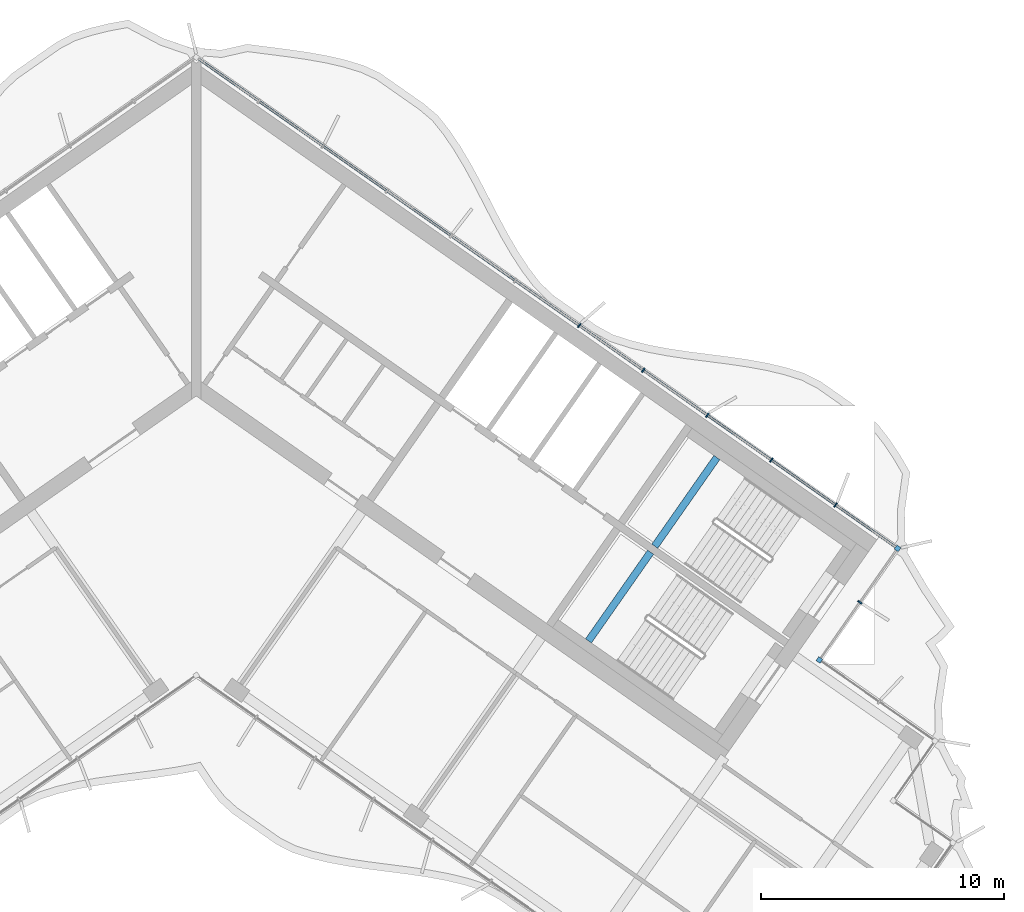
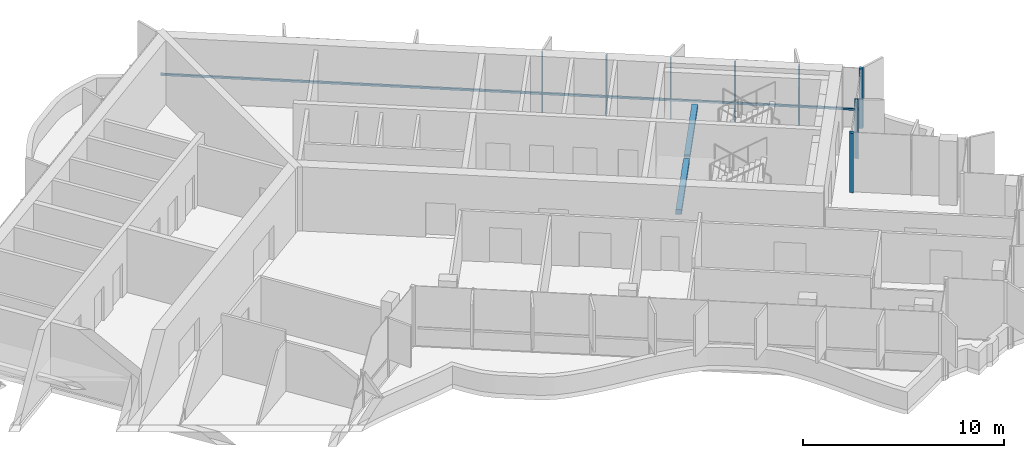
# One storey, part 5 of 18: 9 members, 2 beams, 1 element without a shape of its own.
"""IFC4 building model written with IfcOpenShell, lengths in metres."""

from ifc_helpers import new_model, si_unit, direction, frame, origin, origin_2d, place, context, subcontext, project, spatial, rectangle, extrude, material, material_profile, profile_set, type_object, element, aggregate, save


model = new_model("IFC4")

# Units and contexts
model_context = context("Model", 3, precision=1e-05, world=origin(), true_north=direction((0.0, 1.0)))
body_context = subcontext(model_context, "Body", "Model", "MODEL_VIEW")
ifc_project = project(units=[si_unit("LENGTHUNIT", "METRE"), si_unit("AREAUNIT", "SQUARE_METRE"), si_unit("VOLUMEUNIT", "CUBIC_METRE"), si_unit("PLANEANGLEUNIT", "RADIAN"), si_unit("MASSUNIT", "GRAM", prefix="KILO")], contexts=[model_context])

# Site, building, storey
site_placement = place(None, origin())
site = spatial("IfcSite", under=ifc_project, at=site_placement, CompositionType="ELEMENT")
building_placement = place(site_placement, origin())
building = spatial("IfcBuilding", under=site, at=building_placement, Name="Tel Ilan Convention Tower", CompositionType="ELEMENT")
storey_placement = place(building_placement, frame((0.0, 0.0, 264.39990234375)))
storey = spatial("IfcBuildingStorey", under=building, at=storey_placement, Name="L62", CompositionType="ELEMENT", Elevation=264.39990234375)

# Curtain wall, members
ifc_material_1 = material(Name="Aluminium, bronze anodised", Category="aluminium")
curtain_wall_type = type_object("IfcCurtainWallType", Name="CW2 STICK CURTAIN WALL, SPANDREL PANELS", PredefinedType="NOTDEFINED", material=ifc_material_1)
curtain_wall_placement = place(storey_placement, origin())
curtain_wall = element("IfcCurtainWall", 1, at=curtain_wall_placement, inside=storey, type_object=curtain_wall_type, Name="Curtain wall CW2-47.01", PredefinedType="NOTDEFINED")
ifc_material_2 = material(Name="Aluminium, bronze anodised", Category="aluminium")
ifc_material_profile_1 = material_profile(ifc_material_2, rectangle(XDim=0.199951171875, YDim=0.199951171875, at=origin_2d()), Name="CW CORNER MULLION 200x200")
ifc_profile_set_1 = profile_set([ifc_material_profile_1], Name="Aluminium, bronze anodised")
member_type_1 = type_object("IfcMemberType", Name="CW CORNER MULLION 200x200", PredefinedType="MULLION", material=ifc_profile_set_1)
member_1_placement = place(storey_placement, frame((25.607421875, -12.07080078125, 0.0), z_axis=(0.0, 0.0, 1.0), x_axis=(-0.819152044289, 0.573576436351, 0.0)))
member_1 = element("IfcMember", 2, at=member_1_placement, type_object=member_type_1, Name="Corner mullion", PredefinedType="MULLION", context=body_context, shape_type="SweptSolid", body=[
    extrude(rectangle(XDim=0.199951171875, YDim=0.199951171875, at=origin_2d()), origin(), (0.0, 0.0, 1.0), 3.6201171875),
])
member_2_placement = place(storey_placement, frame((28.819580078125, -7.483642578125, 0.0), z_axis=(0.0, 0.0, 1.0), x_axis=(0.573576436351, 0.819152044289, 0.0)))
member_2 = element("IfcMember", 3, at=member_2_placement, type_object=member_type_1, Name="Corner mullion", PredefinedType="MULLION", context=body_context, shape_type="SweptSolid", body=[
    extrude(rectangle(XDim=0.199951171875, YDim=0.199951171875, at=origin_2d()), origin(), (0.0, 0.0, 1.0), 3.6201171875),
])
ifc_material_3 = material(Name="Aluminium, bronze anodised", Category="aluminium")
ifc_material_profile_2 = material_profile(ifc_material_3, rectangle(XDim=0.06005859375, YDim=0.199951171875, at=origin_2d()), Name="CW MULLION 60x200")
ifc_profile_set_2 = profile_set([ifc_material_profile_2], Name="Aluminium, bronze anodised")
member_type_2 = type_object("IfcMemberType", Name="CW MULLION 60x200", PredefinedType="MULLION", material=ifc_profile_set_2)
member_3_placement = place(storey_placement, frame((27.27099609375, -9.6953125, 0.0), z_axis=(0.0, 0.0, 1.0), x_axis=(0.573576436351, 0.819152044289, 0.0)))
member_3 = element("IfcMember", 4, at=member_3_placement, type_object=member_type_2, Name="Mullion", PredefinedType="MULLION", context=body_context, shape_type="SweptSolid", body=[
    extrude(rectangle(XDim=0.06005859375, YDim=0.199951171875, at=origin_2d()), origin(), (0.0, 0.0, 1.0), 3.6201171875),
])
member_4_placement = place(storey_placement, frame((26.268798828125, -5.697509765625, 0.0), z_axis=(0.0, 0.0, 1.0), x_axis=(-0.819152044289, 0.573576436351, 0.0)))
member_4 = element("IfcMember", 5, at=member_4_placement, type_object=member_type_2, Name="Mullion", PredefinedType="MULLION", context=body_context, shape_type="SweptSolid", body=[
    extrude(rectangle(XDim=0.06005859375, YDim=0.199951171875, at=origin_2d()), origin(), (0.0, 0.0, 1.0), 3.6201171875),
])
member_5_placement = place(storey_placement, frame((23.63623046875, -3.854248046875, 0.0), z_axis=(0.0, 0.0, 1.0), x_axis=(-0.819152044289, 0.573576436351, 0.0)))
member_5 = element("IfcMember", 6, at=member_5_placement, type_object=member_type_2, Name="Mullion", PredefinedType="MULLION", context=body_context, shape_type="SweptSolid", body=[
    extrude(rectangle(XDim=0.06005859375, YDim=0.199951171875, at=origin_2d()), origin(), (0.0, 0.0, 1.0), 3.6201171875),
])
member_6_placement = place(storey_placement, frame((21.003662109375, -2.0107421875, 0.0), z_axis=(0.0, 0.0, 1.0), x_axis=(-0.819152044289, 0.573576436351, 0.0)))
member_6 = element("IfcMember", 7, at=member_6_placement, type_object=member_type_2, Name="Mullion", PredefinedType="MULLION", context=body_context, shape_type="SweptSolid", body=[
    extrude(rectangle(XDim=0.06005859375, YDim=0.199951171875, at=origin_2d()), origin(), (0.0, 0.0, 1.0), 3.6201171875),
])
member_7_placement = place(storey_placement, frame((18.37109375, -0.16748046875, 0.0), z_axis=(0.0, 0.0, 1.0), x_axis=(-0.819152044289, 0.573576436351, 0.0)))
member_7 = element("IfcMember", 8, at=member_7_placement, type_object=member_type_2, Name="Mullion", PredefinedType="MULLION", context=body_context, shape_type="SweptSolid", body=[
    extrude(rectangle(XDim=0.06005859375, YDim=0.199951171875, at=origin_2d()), origin(), (0.0, 0.0, 1.0), 3.6201171875),
])
member_8_placement = place(storey_placement, frame((15.73828125, 1.676025390625, 0.0), z_axis=(0.0, 0.0, 1.0), x_axis=(-0.819152044289, 0.573576436351, 0.0)))
member_8 = element("IfcMember", 9, at=member_8_placement, type_object=member_type_2, Name="Mullion", PredefinedType="MULLION", context=body_context, shape_type="SweptSolid", body=[
    extrude(rectangle(XDim=0.06005859375, YDim=0.199951171875, at=origin_2d()), origin(), (0.0, 0.0, 1.0), 3.6201171875),
])
ifc_material_4 = material(Name="Aluminium, bronze anodised", Category="aluminium")
ifc_material_profile_3 = material_profile(ifc_material_4, rectangle(XDim=0.10009765625, YDim=0.1201171875, at=origin_2d()), Name="CW TRANSOM 100x120")
ifc_profile_set_3 = profile_set([ifc_material_profile_3], Name="Aluminium, bronze anodised")
member_type_3 = type_object("IfcMemberType", Name="CW TRANSOM 100x120", PredefinedType="USERDEFINED", material=ifc_profile_set_3)
member_9_placement = place(storey_placement, frame((28.737548828125, -7.42626953125, 1.10009765625), z_axis=(-0.819150201937, 0.573579067494, 0.0), x_axis=(-0.573579067494, -0.819150201937, 0.0)))
member_9 = element("IfcMember", 10, at=member_9_placement, type_object=member_type_3, Name="Transom", ObjectType="TRANSOM", PredefinedType="USERDEFINED", context=body_context, shape_type="SweptSolid", body=[
    extrude(rectangle(XDim=0.10009765625, YDim=0.1201171875, at=origin_2d()), origin(), (0.0, 0.0, 1.0), 34.9521484375),
])
aggregate(curtain_wall, [member_1, member_3, member_2, member_4, member_5, member_6, member_7, member_8, member_9])

# Beams
ifc_material_5 = material(Name="Concrete C40/50", Category="concrete")
ifc_material_profile_4 = material_profile(ifc_material_5, rectangle(XDim=0.300048828125, YDim=0.300048828125, at=origin_2d()), Name="RC 300x300")
ifc_profile_set_4 = profile_set([ifc_material_profile_4], Name="Concrete C40/50")
beam_type = type_object("IfcBeamType", Name="Landing Beam RC 300x300 Concrete C40/50", PredefinedType="BEAM", material=ifc_profile_set_4)
beam_1_placement = place(storey_placement, frame((21.39404296875, -3.7490234375, 1.60009765625), z_axis=(-0.573547030514, -0.819172633691, 0.0), x_axis=(0.819172633691, -0.573547030514, 0.0)))
element("IfcBeam", 11, at=beam_1_placement, inside=storey, type_object=beam_type, Name="S3 landing beam L62.1", PredefinedType="BEAM", context=body_context, shape_type="SweptSolid", body=[
    extrude(rectangle(XDim=0.300048828125, YDim=0.300048828125, at=origin_2d()), origin(), (0.0, 0.0, 1.0), 4.449951171875),
])
beam_2_placement = place(storey_placement, frame((18.669677734375, -7.64013671875, 1.60009765625), z_axis=(-0.573583844845, -0.819146856756, 0.0), x_axis=(0.819146856756, -0.573583844845, 0.0)))
element("IfcBeam", 12, at=beam_2_placement, inside=storey, type_object=beam_type, Name="S4 landing beam L62.1", PredefinedType="BEAM", context=body_context, shape_type="SweptSolid", body=[
    extrude(rectangle(XDim=0.300048828125, YDim=0.300048828125, at=origin_2d()), origin(), (0.0, 0.0, 1.0), 4.4501953125),
])

save(model, "model.ifc")
